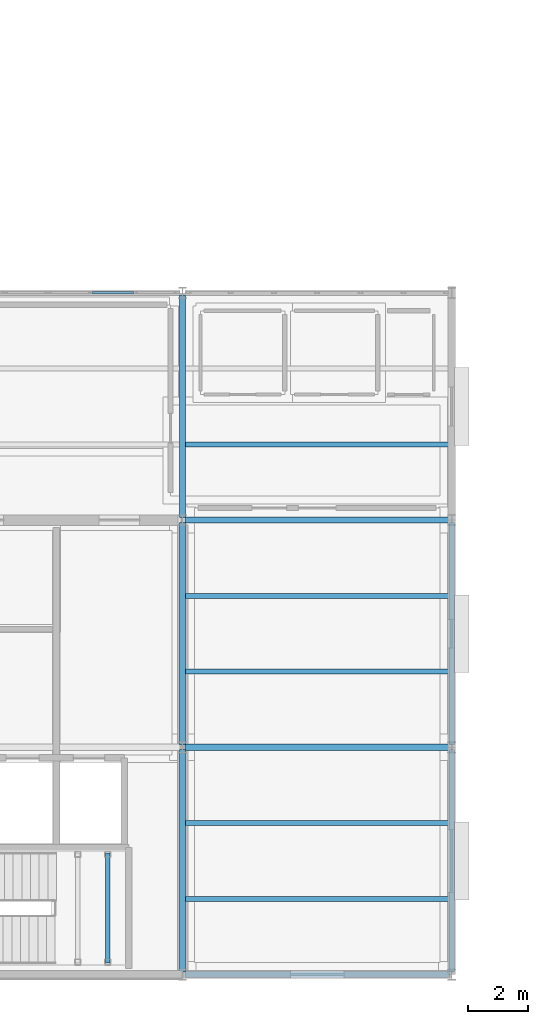
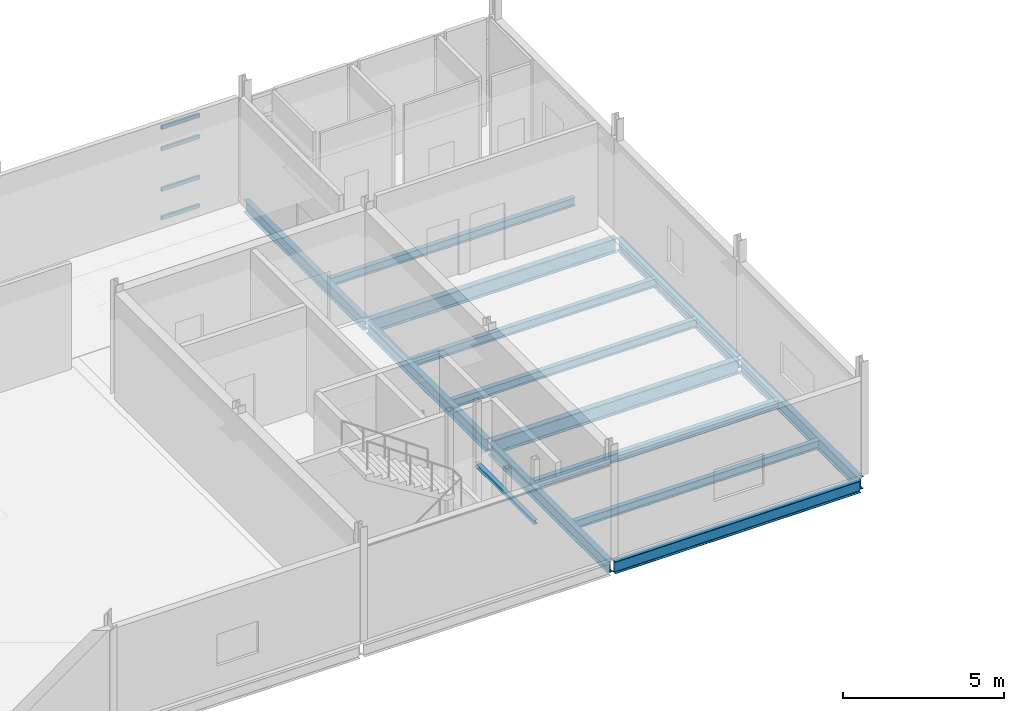
# One storey, part 28 of 96: 14 beams, 4 members, 1 element without a shape of its own.
"""IFC4 building model written with IfcOpenShell, lengths in metres."""

from ifc_helpers import new_model, si_unit, direction, frame, origin, origin_2d, place, context, subcontext, project, spatial, hollow_rectangle, i_section, extrude, material, material_profile, profile_set, type_object, element, aggregate, save


model = new_model("IFC4")

# Units and contexts
model_context = context("Model", 3, precision=1e-05, world=origin(), true_north=direction((0.0, 1.0)))
body_context = subcontext(model_context, "Body", "Model", "MODEL_VIEW")
ifc_project = project(units=[si_unit("LENGTHUNIT", "METRE"), si_unit("AREAUNIT", "SQUARE_METRE"), si_unit("VOLUMEUNIT", "CUBIC_METRE"), si_unit("PLANEANGLEUNIT", "RADIAN"), si_unit("MASSUNIT", "GRAM", prefix="KILO")], contexts=[model_context])

# Site, building, storey
site_placement = place(None, origin())
site = spatial("IfcSite", under=ifc_project, at=site_placement, CompositionType="ELEMENT")
building_placement = place(site_placement, origin())
building = spatial("IfcBuilding", under=site, at=building_placement, Name="Caisbarro Railhouse Central Library", CompositionType="ELEMENT")
storey_placement = place(building_placement, frame((0.0, 0.0, 13.679931640625)))
storey = spatial("IfcBuildingStorey", under=building, at=storey_placement, Name="L03", CompositionType="ELEMENT", Elevation=13.679931640625)

# Beams
ifc_material_1 = material(Name="Steel ASTM A572 Grade 50", Category="steel")
ifc_material_profile_1 = material_profile(ifc_material_1, i_section(OverallWidth=0.2119140625, OverallDepth=0.5439453125, WebThickness=0.01318359375, FlangeThickness=0.021240234375, FilletRadius=0.02001953125, at=origin_2d()), Name="W530X123.0")
ifc_profile_set_1 = profile_set([ifc_material_profile_1], Name="Steel ASTM A572 Grade 50")
beam_type_1 = type_object("IfcBeamType", Name="BM-G05", PredefinedType="BEAM", material=ifc_profile_set_1)
for number, where, z_axis, x_axis, name in (
    (1, (99.080078125, 7.60009765625, -0.511962890625), (1.0, 0.0, 0.0), (0.0, 1.0, 0.0), "G05 beam L03 #1766"),
    (2, (99.080078125, 15.199951171875, -0.511962890625), (1.0, 0.0, 0.0), (0.0, 1.0, 0.0), "G05 beam L03 #1772"),
):
    element("IfcBeam", number, at=place(storey_placement, frame(where, z_axis=z_axis, x_axis=x_axis)), inside=storey, type_object=beam_type_1, Name=name, PredefinedType="BEAM", context=body_context, shape_type="SweptSolid", body=[
        extrude(i_section(OverallWidth=0.2119140625, OverallDepth=0.5439453125, WebThickness=0.01318359375, FlangeThickness=0.021240234375, FilletRadius=0.02001953125, at=origin_2d()), origin(), (0.0, 0.0, 1.0), 8.83984375),
    ])
ifc_material_profile_2 = material_profile(ifc_material_1, i_section(OverallWidth=0.194091796875, OverallDepth=0.468994140625, WebThickness=0.0126953125, FlangeThickness=0.0205078125, FilletRadius=0.01806640625, at=origin_2d()), Name="W460X106.0")
ifc_profile_set_2 = profile_set([ifc_material_profile_2], Name="Steel ASTM A572 Grade 50")
beam_type_2 = type_object("IfcBeamType", Name="BM-G07", PredefinedType="BEAM", material=ifc_profile_set_2)
beam_1_placement = place(storey_placement, frame((99.0, 0.080078125, -0.474365234375), z_axis=(0.0, 1.0, 0.0), x_axis=(-1.0, 0.0, 0.0)))
element("IfcBeam", 3, at=beam_1_placement, inside=storey, type_object=beam_type_2, Name="G07 beam L03 #1794", PredefinedType="BEAM", context=body_context, shape_type="SweptSolid", body=[
    extrude(i_section(OverallWidth=0.194091796875, OverallDepth=0.468994140625, WebThickness=0.0126953125, FlangeThickness=0.0205078125, FilletRadius=0.01806640625, at=origin_2d()), origin(), (0.0, 0.0, 1.0), 7.43994140625),
])
beam_2_placement = place(storey_placement, frame((99.0, 7.679931640625, -0.474365234375), z_axis=(0.0, 1.0, 0.0), x_axis=(-1.0, 0.0, 0.0)))
element("IfcBeam", 4, at=beam_2_placement, inside=storey, type_object=beam_type_2, Name="G07 beam L03 #1795", PredefinedType="BEAM", context=body_context, shape_type="SweptSolid", body=[
    extrude(i_section(OverallWidth=0.194091796875, OverallDepth=0.468994140625, WebThickness=0.0126953125, FlangeThickness=0.0205078125, FilletRadius=0.01806640625, at=origin_2d()), origin(), (0.0, 0.0, 1.0), 7.440185546875),
])
for number, where, z_axis, x_axis, name in (
    (5, (99.0, 15.280029296875, -0.474365234375), (0.0, 1.0, 0.0), (-1.0, 0.0, 0.0), "G07 beam L03 #1796"),
    (6, (108.0, 0.080078125, -0.474365234375), (0.0, 1.0, 0.0), (-1.0, 0.0, 0.0), "G07 beam L03 #1797"),
):
    element("IfcBeam", number, at=place(storey_placement, frame(where, z_axis=z_axis, x_axis=x_axis)), inside=storey, type_object=beam_type_2, Name=name, PredefinedType="BEAM", context=body_context, shape_type="SweptSolid", body=[
        extrude(i_section(OverallWidth=0.194091796875, OverallDepth=0.468994140625, WebThickness=0.0126953125, FlangeThickness=0.0205078125, FilletRadius=0.01806640625, at=origin_2d()), origin(), (0.0, 0.0, 1.0), 7.43994140625),
    ])
beam_3_placement = place(storey_placement, frame((108.0, 7.679931640625, -0.474365234375), z_axis=(0.0, 1.0, 0.0), x_axis=(-1.0, 0.0, 0.0)))
element("IfcBeam", 7, at=beam_3_placement, inside=storey, type_object=beam_type_2, Name="G07 beam L03 #1798", PredefinedType="BEAM", context=body_context, shape_type="SweptSolid", body=[
    extrude(i_section(OverallWidth=0.194091796875, OverallDepth=0.468994140625, WebThickness=0.0126953125, FlangeThickness=0.0205078125, FilletRadius=0.01806640625, at=origin_2d()), origin(), (0.0, 0.0, 1.0), 7.440185546875),
])
ifc_material_profile_3 = material_profile(ifc_material_1, i_section(OverallWidth=0.1669921875, OverallDepth=0.31689453125, WebThickness=0.007568359375, FlangeThickness=0.01318359375, FilletRadius=0.011962890625, at=origin_2d()), Name="W310X52.0")
ifc_profile_set_3 = profile_set([ifc_material_profile_3], Name="Steel ASTM A572 Grade 50")
beam_type_3 = type_object("IfcBeamType", Name="BM-J02", PredefinedType="JOIST", material=ifc_profile_set_3)
for number, where, z_axis, x_axis, name in (
    (8, (99.096923828125, 2.533203125, -0.3984375), (1.0, 0.0, 0.0), (0.0, 1.0, 0.0), "J02 beam L03 #1822"),
    (9, (99.096923828125, 5.066650390625, -0.3984375), (1.0, 0.0, 0.0), (0.0, 1.0, 0.0), "J02 beam L03 #1823"),
    (10, (99.096923828125, 10.13330078125, -0.3984375), (1.0, 0.0, 0.0), (0.0, 1.0, 0.0), "J02 beam L03 #1824"),
    (11, (99.096923828125, 12.666748046875, -0.3984375), (1.0, 0.0, 0.0), (0.0, 1.0, 0.0), "J02 beam L03 #1825"),
    (12, (99.096923828125, 17.7333984375, -0.3984375), (1.0, 0.0, 0.0), (0.0, 1.0, 0.0), "J02 beam L03 #1826"),
):
    element("IfcBeam", number, at=place(storey_placement, frame(where, z_axis=z_axis, x_axis=x_axis)), inside=storey, type_object=beam_type_3, Name=name, PredefinedType="JOIST", context=body_context, shape_type="SweptSolid", body=[
        extrude(i_section(OverallWidth=0.1669921875, OverallDepth=0.31689453125, WebThickness=0.007568359375, FlangeThickness=0.01318359375, FilletRadius=0.011962890625, at=origin_2d()), origin(), (0.0, 0.0, 1.0), 8.80615234375),
    ])
ifc_material_profile_4 = material_profile(ifc_material_1, i_section(OverallWidth=0.152099609375, OverallDepth=0.152099609375, WebThickness=0.005859375, FlangeThickness=0.006591796875, FilletRadius=0.008056640625, at=origin_2d()), Name="W150X22.5")
ifc_profile_set_4 = profile_set([ifc_material_profile_4], Name="Steel ASTM A572 Grade 50")
beam_type_4 = type_object("IfcBeamType", Name="BM-SL03", PredefinedType="BEAM", material=ifc_profile_set_4)
beam_4_placement = place(storey_placement, frame((96.5, 0.3798828125, 1.89404296875), z_axis=(0.0, 1.0, 0.0), x_axis=(-1.0, 0.0, 0.0)))
element("IfcBeam", 13, at=beam_4_placement, inside=storey, type_object=beam_type_4, Name="SL03 Stair Landing Support Beam K2 L03 E", PredefinedType="BEAM", context=body_context, shape_type="SweptSolid", body=[
    extrude(i_section(OverallWidth=0.152099609375, OverallDepth=0.152099609375, WebThickness=0.005859375, FlangeThickness=0.006591796875, FilletRadius=0.008056640625, at=origin_2d()), origin(), (0.0, 0.0, 1.0), 3.690185546875),
])
ifc_material_profile_5 = material_profile(ifc_material_1, i_section(OverallWidth=0.18994140625, OverallDepth=0.45703125, WebThickness=0.009033203125, FlangeThickness=0.014404296875, FilletRadius=0.01806640625, at=origin_2d()), Name="W460X74.0")
ifc_profile_set_5 = profile_set([ifc_material_profile_5], Name="Steel ASTM A572 Grade 50")
beam_type_5 = type_object("IfcBeamType", Name="BM-SP01", PredefinedType="SPANDREL", material=ifc_profile_set_5)
beam_5_placement = place(storey_placement, frame((99.080078125, 0.0, -0.468505859375), z_axis=(1.0, 0.0, 0.0), x_axis=(0.0, 1.0, 0.0)))
element("IfcBeam", 14, at=beam_5_placement, inside=storey, type_object=beam_type_5, Name="SP01 beam L03 #1760", PredefinedType="SPANDREL", context=body_context, shape_type="SweptSolid", body=[
    extrude(i_section(OverallWidth=0.18994140625, OverallDepth=0.45703125, WebThickness=0.009033203125, FlangeThickness=0.014404296875, FilletRadius=0.01806640625, at=origin_2d()), origin(), (0.0, 0.0, 1.0), 8.83984375),
])

# Curtain wall, members
ifc_material_2 = material(Name="Anodised architectural aluminium", Category="aluminium")
curtain_wall_type = type_object("IfcCurtainWallType", Name="CW-CW02", PredefinedType="NOTDEFINED", material=ifc_material_2)
curtain_wall_placement = place(storey_placement, origin())
curtain_wall = element("IfcCurtainWall", 15, at=curtain_wall_placement, inside=storey, type_object=curtain_wall_type, Name="CW02 curtain wall L03 #65", PredefinedType="NOTDEFINED")
ifc_material_profile_6 = material_profile(ifc_material_2, hollow_rectangle(XDim=0.074951171875, YDim=0.139892578125, WallThickness=0.00390625, at=origin_2d()), Name="ALU-TRN-75X140")
ifc_profile_set_6 = profile_set([ifc_material_profile_6], Name="Anodised architectural aluminium")
member_type = type_object("IfcMemberType", Name="CWT-T01", PredefinedType="USERDEFINED", material=ifc_profile_set_6)
member_1_placement = place(storey_placement, frame((95.984130859375, 22.800048828125, 0.03759765625), z_axis=(1.0, 0.0, 0.0), x_axis=(0.0, 1.0, 0.0)))
member_1 = element("IfcMember", 16, at=member_1_placement, type_object=member_type, Name="CW02 transom 5.1", ObjectType="TRANSOM", PredefinedType="USERDEFINED", context=body_context, shape_type="SweptSolid", body=[
    extrude(hollow_rectangle(XDim=0.074951171875, YDim=0.139892578125, WallThickness=0.00390625, at=origin_2d()), origin(), (0.0, 0.0, 1.0), 1.37158203125),
])
member_2_placement = place(storey_placement, frame((95.984130859375, 22.800048828125, 1.1201171875), z_axis=(1.0, 0.0, 0.0), x_axis=(0.0, 1.0, 0.0)))
member_2 = element("IfcMember", 17, at=member_2_placement, type_object=member_type, Name="CW02 transom 5.2", ObjectType="TRANSOM", PredefinedType="USERDEFINED", context=body_context, shape_type="SweptSolid", body=[
    extrude(hollow_rectangle(XDim=0.074951171875, YDim=0.139892578125, WallThickness=0.00390625, at=origin_2d()), origin(), (0.0, 0.0, 1.0), 1.37158203125),
])
member_3_placement = place(storey_placement, frame((95.984130859375, 22.800048828125, 2.66015625), z_axis=(1.0, 0.0, 0.0), x_axis=(0.0, 1.0, 0.0)))
member_3 = element("IfcMember", 18, at=member_3_placement, type_object=member_type, Name="CW02 transom 5.3", ObjectType="TRANSOM", PredefinedType="USERDEFINED", context=body_context, shape_type="SweptSolid", body=[
    extrude(hollow_rectangle(XDim=0.074951171875, YDim=0.139892578125, WallThickness=0.00390625, at=origin_2d()), origin(), (0.0, 0.0, 1.0), 1.37158203125),
])
member_4_placement = place(storey_placement, frame((95.984130859375, 22.800048828125, 3.47265625), z_axis=(1.0, 0.0, 0.0), x_axis=(0.0, 1.0, 0.0)))
member_4 = element("IfcMember", 19, at=member_4_placement, type_object=member_type, Name="CW02 transom 5.4", ObjectType="TRANSOM", PredefinedType="USERDEFINED", context=body_context, shape_type="SweptSolid", body=[
    extrude(hollow_rectangle(XDim=0.074951171875, YDim=0.139892578125, WallThickness=0.00390625, at=origin_2d()), origin(), (0.0, 0.0, 1.0), 1.37158203125),
])
aggregate(curtain_wall, [member_1, member_2, member_3, member_4])

save(model, "model.ifc")
